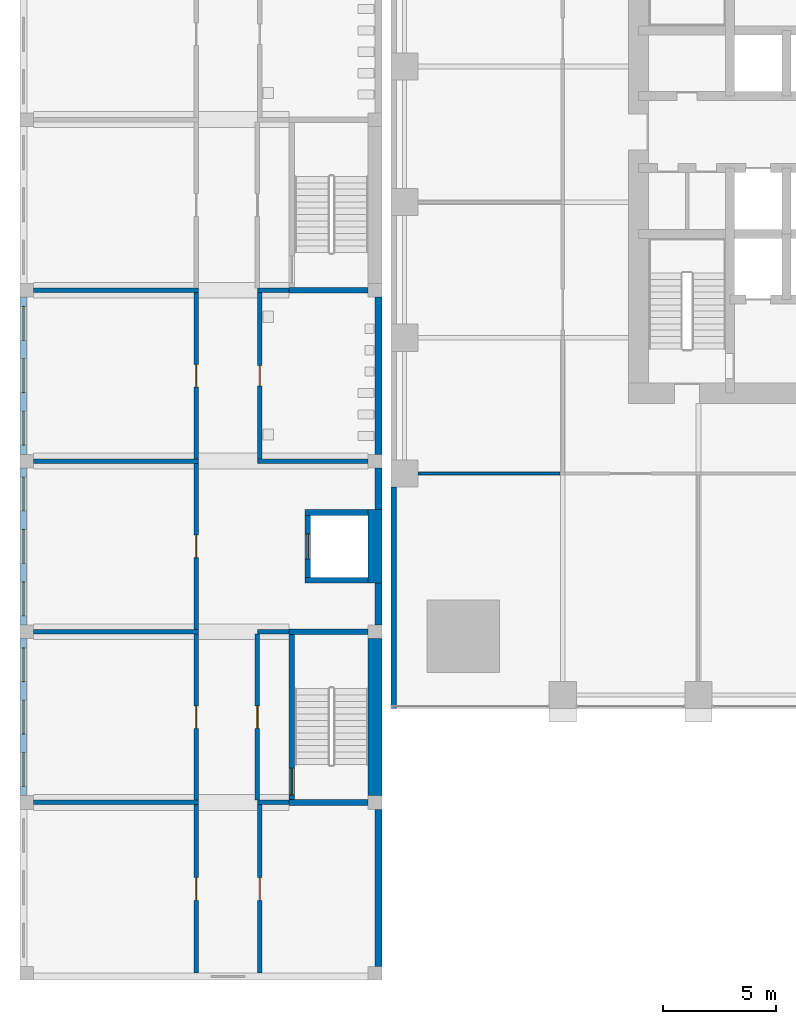
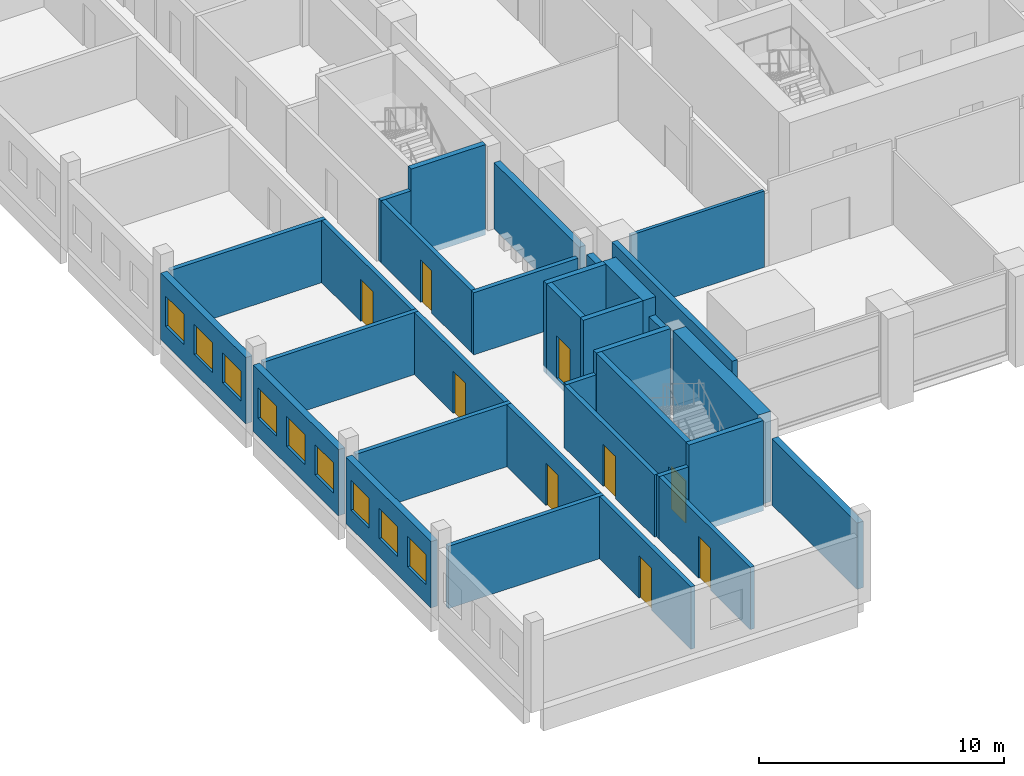
# One storey, part 18 of 34: 33 walls, 9 doors, 9 windows, 18 openings.
"""IFC4 building model written with IfcOpenShell, lengths in metres."""

from ifc_helpers import new_model, si_unit, direction, frame, frame_2d, origin, place, context, subcontext, project, spatial, rectangle, extrude, material, layer, layer_set, type_object, element, fill, save


model = new_model("IFC4")

# Units and contexts
model_context = context("Model", 3, precision=1e-05, world=origin(), true_north=direction((0.0, 1.0)))
body_context = subcontext(model_context, "Body", "Model", "MODEL_VIEW")
ifc_project = project(units=[si_unit("LENGTHUNIT", "METRE"), si_unit("AREAUNIT", "SQUARE_METRE"), si_unit("VOLUMEUNIT", "CUBIC_METRE"), si_unit("PLANEANGLEUNIT", "RADIAN"), si_unit("MASSUNIT", "GRAM", prefix="KILO")], contexts=[model_context])

# Site, building, storey
site_placement = place(None, origin())
site = spatial("IfcSite", under=ifc_project, at=site_placement, CompositionType="ELEMENT")
building_placement = place(site_placement, origin())
building = spatial("IfcBuilding", under=site, at=building_placement, Name="Amberfall Residences", CompositionType="ELEMENT")
storey_placement = place(building_placement, frame((0.0, 0.0, 5.5)))
storey = spatial("IfcBuildingStorey", under=building, at=storey_placement, Name="L01", CompositionType="ELEMENT", Elevation=5.5)

# Walls
ifc_material_1 = material(Name="Fire-rated gypsum board on steel studs", Category="steel")
ifc_layer_1 = layer(ifc_material_1, 0.14990234375)
ifc_layer_set_1 = layer_set([ifc_layer_1], Name="Partition 150 fire-rated")
wall_type_1 = type_object("IfcWallType", Name="Partition 150 fire-rated", PredefinedType="PARTITIONING", material=ifc_layer_set_1)
wall_1_placement = place(storey_placement, frame((53.199951171875, 30.39990234375, 0.0), z_axis=(0.0, 0.0, 1.0), x_axis=(1.0, 0.0, 0.0)))
element("IfcWall", 1, at=wall_1_placement, inside=storey, type_object=wall_type_1, Name="Partition 150 fire-rated L01 001", PredefinedType="PARTITIONING", context=body_context, shape_type="SweptSolid", body=[
    extrude(rectangle(XDim=6.280029296875, YDim=0.14990234375, at=frame_2d((3.14013671875, 0.0))), origin(), (0.0, 0.0, 1.0), 3.797119140625),
])
ifc_material_2 = material(Name="Precast concrete C40", Category="concrete")
ifc_layer_2 = layer(ifc_material_2, 0.25)
ifc_layer_set_2 = layer_set([ifc_layer_2], Name="Podium external wall 250")
wall_type_2 = type_object("IfcWallType", Name="Podium external wall 250", PredefinedType="SOLIDWALL", material=ifc_layer_set_2)
wall_2_placement = place(storey_placement, frame((52.125, 20.0, 0.0), z_axis=(0.0, 0.0, 1.0), x_axis=(0.0, 1.0, 0.0)))
element("IfcWall", 2, at=wall_2_placement, inside=storey, type_object=wall_type_2, Name="Podium external wall W1", PredefinedType="SOLIDWALL", context=body_context, shape_type="SweptSolid", body=[
    extrude(rectangle(XDim=9.800048828125, YDim=0.25, at=frame_2d((4.89990234375, 0.0))), origin(), (0.0, 0.0, 1.0), 4.199951171875),
])

# Wall, openings, windows
ifc_material_3 = material(Name="Aerated block wall")
ifc_layer_3 = layer(ifc_material_3, 0.300048828125)
ifc_layer_set_3 = layer_set([ifc_layer_3], Name="School external wall 300")
wall_type_3 = type_object("IfcWallType", Name="School external wall 300", PredefinedType="SOLIDWALL", material=ifc_layer_set_3)
wall_3_placement = place(storey_placement, frame((35.75, 16.14990234375, 0.0), z_axis=(0.0, 0.0, 1.0), x_axis=(0.0, 1.0, 0.0)))
wall_3 = element("IfcWall", 3, at=wall_3_placement, inside=storey, type_object=wall_type_3, Name="School external wall L01 EW1", PredefinedType="SOLIDWALL", context=body_context, shape_type="SweptSolid", body=[
    extrude(rectangle(XDim=6.9501953125, YDim=0.300048828125, at=frame_2d((3.47509765625, 0.0))), origin(), (0.0, 0.0, 1.0), 3.300048828125),
])
opening_1_placement = place(wall_3_placement, frame((0.408203125, 0.0, 0.89990234375)))
opening_1 = element("IfcOpeningElement", 4, at=opening_1_placement, cuts=wall_3, Name="Opening SWN1", PredefinedType="OPENING", context=body_context, shape_type="SweptSolid", body=[
    extrude(rectangle(XDim=1.5, YDim=1.5, at=frame_2d((0.75, 0.75))), frame((0.0, 0.159912109375, 0.0), z_axis=(0.0, -1.0, 0.0), x_axis=(1.0, 0.0, 0.0)), (0.0, 0.0, 1.0), 0.320068359375),
])
opening_2_placement = place(wall_3_placement, frame((2.72509765625, 0.0, 0.89990234375)))
opening_2 = element("IfcOpeningElement", 5, at=opening_2_placement, cuts=wall_3, Name="Opening SWN1", PredefinedType="OPENING", context=body_context, shape_type="SweptSolid", body=[
    extrude(rectangle(XDim=1.5, YDim=1.5, at=frame_2d((0.75, 0.75))), frame((0.0, 0.159912109375, 0.0), z_axis=(0.0, -1.0, 0.0), x_axis=(1.0, 0.0, 0.0)), (0.0, 0.0, 1.0), 0.320068359375),
])
opening_3_placement = place(wall_3_placement, frame((5.041748046875, 0.0, 0.89990234375)))
opening_3 = element("IfcOpeningElement", 6, at=opening_3_placement, cuts=wall_3, Name="Opening SWN1", PredefinedType="OPENING", context=body_context, shape_type="SweptSolid", body=[
    extrude(rectangle(XDim=1.5, YDim=1.5, at=frame_2d((0.75, 0.75))), frame((0.0, 0.159912109375, 0.0), z_axis=(0.0, -1.0, 0.0), x_axis=(1.0, 0.0, 0.0)), (0.0, 0.0, 1.0), 0.320068359375),
])
ifc_material_4 = material(Name="Aluminium window", Category="aluminium")
window_type = type_object("IfcWindowType", Name="School window 1500 x 1500", PartitioningType="DOUBLE_PANEL_HORIZONTAL", PredefinedType="WINDOW", material=ifc_material_4)
window_1_placement = place(opening_1_placement, origin())
window_1 = element("IfcWindow", 7, at=window_1_placement, inside=storey, type_object=window_type, Name="School window L01 EW1-1", OverallHeight=1.5, OverallWidth=1.5, PartitioningType="DOUBLE_PANEL_HORIZONTAL", PredefinedType="WINDOW", context=body_context, shape_type="SweptSolid", body=[
    extrude(rectangle(XDim=1.5, YDim=1.5, at=frame_2d((0.75, 0.75))), frame((0.0, 0.030029296875, 0.0), z_axis=(0.0, -1.0, 0.0), x_axis=(1.0, 0.0, 0.0)), (0.0, 0.0, 1.0), 0.06005859375),
])
fill(opening_1, window_1)
window_2_placement = place(opening_2_placement, origin())
window_2 = element("IfcWindow", 8, at=window_2_placement, inside=storey, type_object=window_type, Name="School window L01 EW1-2", OverallHeight=1.5, OverallWidth=1.5, PartitioningType="DOUBLE_PANEL_HORIZONTAL", PredefinedType="WINDOW", context=body_context, shape_type="SweptSolid", body=[
    extrude(rectangle(XDim=1.5, YDim=1.5, at=frame_2d((0.75, 0.75))), frame((0.0, 0.030029296875, 0.0), z_axis=(0.0, -1.0, 0.0), x_axis=(1.0, 0.0, 0.0)), (0.0, 0.0, 1.0), 0.06005859375),
])
fill(opening_2, window_2)
window_3_placement = place(opening_3_placement, origin())
window_3 = element("IfcWindow", 9, at=window_3_placement, inside=storey, type_object=window_type, Name="School window L01 EW1-3", OverallHeight=1.5, OverallWidth=1.5, PartitioningType="DOUBLE_PANEL_HORIZONTAL", PredefinedType="WINDOW", context=body_context, shape_type="SweptSolid", body=[
    extrude(rectangle(XDim=1.5, YDim=1.5, at=frame_2d((0.75, 0.75))), frame((0.0, 0.030029296875, 0.0), z_axis=(0.0, -1.0, 0.0), x_axis=(1.0, 0.0, 0.0)), (0.0, 0.0, 1.0), 0.06005859375),
])
fill(opening_3, window_3)

wall_4_placement = place(storey_placement, frame((35.75, 23.699951171875, 0.0), z_axis=(0.0, 0.0, 1.0), x_axis=(0.0, 1.0, 0.0)))
wall_4 = element("IfcWall", 10, at=wall_4_placement, inside=storey, type_object=wall_type_3, Name="School external wall L01 EW2", PredefinedType="SOLIDWALL", context=body_context, shape_type="SweptSolid", body=[
    extrude(rectangle(XDim=6.949951171875, YDim=0.300048828125, at=frame_2d((3.47509765625, 0.0))), origin(), (0.0, 0.0, 1.0), 3.300048828125),
])
opening_4_placement = place(wall_4_placement, frame((0.408203125, 0.0, 0.89990234375)))
opening_4 = element("IfcOpeningElement", 11, at=opening_4_placement, cuts=wall_4, Name="Opening SWN1", PredefinedType="OPENING", context=body_context, shape_type="SweptSolid", body=[
    extrude(rectangle(XDim=1.5, YDim=1.5, at=frame_2d((0.75, 0.75))), frame((0.0, 0.159912109375, 0.0), z_axis=(0.0, -1.0, 0.0), x_axis=(1.0, 0.0, 0.0)), (0.0, 0.0, 1.0), 0.320068359375),
])
opening_5_placement = place(wall_4_placement, frame((2.72509765625, 0.0, 0.89990234375)))
opening_5 = element("IfcOpeningElement", 12, at=opening_5_placement, cuts=wall_4, Name="Opening SWN1", PredefinedType="OPENING", context=body_context, shape_type="SweptSolid", body=[
    extrude(rectangle(XDim=1.5, YDim=1.5, at=frame_2d((0.75, 0.75))), frame((0.0, 0.159912109375, 0.0), z_axis=(0.0, -1.0, 0.0), x_axis=(1.0, 0.0, 0.0)), (0.0, 0.0, 1.0), 0.320068359375),
])
opening_6_placement = place(wall_4_placement, frame((5.041748046875, 0.0, 0.89990234375)))
opening_6 = element("IfcOpeningElement", 13, at=opening_6_placement, cuts=wall_4, Name="Opening SWN1", PredefinedType="OPENING", context=body_context, shape_type="SweptSolid", body=[
    extrude(rectangle(XDim=1.5, YDim=1.5, at=frame_2d((0.75, 0.75))), frame((0.0, 0.159912109375, 0.0), z_axis=(0.0, -1.0, 0.0), x_axis=(1.0, 0.0, 0.0)), (0.0, 0.0, 1.0), 0.320068359375),
])
window_4_placement = place(opening_4_placement, origin())
window_4 = element("IfcWindow", 14, at=window_4_placement, inside=storey, type_object=window_type, Name="School window L01 EW2-1", OverallHeight=1.5, OverallWidth=1.5, PartitioningType="DOUBLE_PANEL_HORIZONTAL", PredefinedType="WINDOW", context=body_context, shape_type="SweptSolid", body=[
    extrude(rectangle(XDim=1.5, YDim=1.5, at=frame_2d((0.75, 0.75))), frame((0.0, 0.030029296875, 0.0), z_axis=(0.0, -1.0, 0.0), x_axis=(1.0, 0.0, 0.0)), (0.0, 0.0, 1.0), 0.06005859375),
])
fill(opening_4, window_4)
window_5_placement = place(opening_5_placement, origin())
window_5 = element("IfcWindow", 15, at=window_5_placement, inside=storey, type_object=window_type, Name="School window L01 EW2-2", OverallHeight=1.5, OverallWidth=1.5, PartitioningType="DOUBLE_PANEL_HORIZONTAL", PredefinedType="WINDOW", context=body_context, shape_type="SweptSolid", body=[
    extrude(rectangle(XDim=1.5, YDim=1.5, at=frame_2d((0.75, 0.75))), frame((0.0, 0.030029296875, 0.0), z_axis=(0.0, -1.0, 0.0), x_axis=(1.0, 0.0, 0.0)), (0.0, 0.0, 1.0), 0.06005859375),
])
fill(opening_5, window_5)
window_6_placement = place(opening_6_placement, origin())
window_6 = element("IfcWindow", 16, at=window_6_placement, inside=storey, type_object=window_type, Name="School window L01 EW2-3", OverallHeight=1.5, OverallWidth=1.5, PartitioningType="DOUBLE_PANEL_HORIZONTAL", PredefinedType="WINDOW", context=body_context, shape_type="SweptSolid", body=[
    extrude(rectangle(XDim=1.5, YDim=1.5, at=frame_2d((0.75, 0.75))), frame((0.0, 0.030029296875, 0.0), z_axis=(0.0, -1.0, 0.0), x_axis=(1.0, 0.0, 0.0)), (0.0, 0.0, 1.0), 0.06005859375),
])
fill(opening_6, window_6)

wall_5_placement = place(storey_placement, frame((35.75, 31.25, 0.0), z_axis=(0.0, 0.0, 1.0), x_axis=(0.0, 1.0, 0.0)))
wall_5 = element("IfcWall", 17, at=wall_5_placement, inside=storey, type_object=wall_type_3, Name="School external wall L01 EW3", PredefinedType="SOLIDWALL", context=body_context, shape_type="SweptSolid", body=[
    extrude(rectangle(XDim=6.949951171875, YDim=0.300048828125, at=frame_2d((3.47509765625, 0.0))), origin(), (0.0, 0.0, 1.0), 3.300048828125),
])
opening_7_placement = place(wall_5_placement, frame((0.408203125, 0.0, 0.89990234375)))
opening_7 = element("IfcOpeningElement", 18, at=opening_7_placement, cuts=wall_5, Name="Opening SWN1", PredefinedType="OPENING", context=body_context, shape_type="SweptSolid", body=[
    extrude(rectangle(XDim=1.5, YDim=1.5, at=frame_2d((0.75, 0.75))), frame((0.0, 0.159912109375, 0.0), z_axis=(0.0, -1.0, 0.0), x_axis=(1.0, 0.0, 0.0)), (0.0, 0.0, 1.0), 0.320068359375),
])
opening_8_placement = place(wall_5_placement, frame((2.72509765625, 0.0, 0.89990234375)))
opening_8 = element("IfcOpeningElement", 19, at=opening_8_placement, cuts=wall_5, Name="Opening SWN1", PredefinedType="OPENING", context=body_context, shape_type="SweptSolid", body=[
    extrude(rectangle(XDim=1.5, YDim=1.5, at=frame_2d((0.75, 0.75))), frame((0.0, 0.159912109375, 0.0), z_axis=(0.0, -1.0, 0.0), x_axis=(1.0, 0.0, 0.0)), (0.0, 0.0, 1.0), 0.320068359375),
])
opening_9_placement = place(wall_5_placement, frame((5.041748046875, 0.0, 0.89990234375)))
opening_9 = element("IfcOpeningElement", 20, at=opening_9_placement, cuts=wall_5, Name="Opening SWN1", PredefinedType="OPENING", context=body_context, shape_type="SweptSolid", body=[
    extrude(rectangle(XDim=1.5, YDim=1.5, at=frame_2d((0.75, 0.75))), frame((0.0, 0.159912109375, 0.0), z_axis=(0.0, -1.0, 0.0), x_axis=(1.0, 0.0, 0.0)), (0.0, 0.0, 1.0), 0.320068359375),
])
window_7_placement = place(opening_7_placement, origin())
window_7 = element("IfcWindow", 21, at=window_7_placement, inside=storey, type_object=window_type, Name="School window L01 EW3-1", OverallHeight=1.5, OverallWidth=1.5, PartitioningType="DOUBLE_PANEL_HORIZONTAL", PredefinedType="WINDOW", context=body_context, shape_type="SweptSolid", body=[
    extrude(rectangle(XDim=1.5, YDim=1.5, at=frame_2d((0.75, 0.75))), frame((0.0, 0.030029296875, 0.0), z_axis=(0.0, -1.0, 0.0), x_axis=(1.0, 0.0, 0.0)), (0.0, 0.0, 1.0), 0.06005859375),
])
fill(opening_7, window_7)
window_8_placement = place(opening_8_placement, origin())
window_8 = element("IfcWindow", 22, at=window_8_placement, inside=storey, type_object=window_type, Name="School window L01 EW3-2", OverallHeight=1.5, OverallWidth=1.5, PartitioningType="DOUBLE_PANEL_HORIZONTAL", PredefinedType="WINDOW", context=body_context, shape_type="SweptSolid", body=[
    extrude(rectangle(XDim=1.5, YDim=1.5, at=frame_2d((0.75, 0.75))), frame((0.0, 0.030029296875, 0.0), z_axis=(0.0, -1.0, 0.0), x_axis=(1.0, 0.0, 0.0)), (0.0, 0.0, 1.0), 0.06005859375),
])
fill(opening_8, window_8)
window_9_placement = place(opening_9_placement, origin())
window_9 = element("IfcWindow", 23, at=window_9_placement, inside=storey, type_object=window_type, Name="School window L01 EW3-3", OverallHeight=1.5, OverallWidth=1.5, PartitioningType="DOUBLE_PANEL_HORIZONTAL", PredefinedType="WINDOW", context=body_context, shape_type="SweptSolid", body=[
    extrude(rectangle(XDim=1.5, YDim=1.5, at=frame_2d((0.75, 0.75))), frame((0.0, 0.030029296875, 0.0), z_axis=(0.0, -1.0, 0.0), x_axis=(1.0, 0.0, 0.0)), (0.0, 0.0, 1.0), 0.06005859375),
])
fill(opening_9, window_9)

# Walls
for number, where, z_axis, x_axis, name in (
    (24, (51.449951171875, 8.60009765625, 0.0), (0.0, 0.0, 1.0), (0.0, 1.0, 0.0), "School external wall L01 ET0"),
    (25, (51.449951171875, 31.25, 0.0), (0.0, 0.0, 1.0), (0.0, 1.0, 0.0), "School external wall L01 ET3"),
):
    element("IfcWall", number, at=place(storey_placement, frame(where, z_axis=z_axis, x_axis=x_axis)), inside=storey, type_object=wall_type_3, Name=name, PredefinedType="SOLIDWALL", context=body_context, shape_type="SweptSolid", body=[
        extrude(rectangle(XDim=6.949951171875, YDim=0.300048828125, at=frame_2d((3.47509765625, 0.0))), origin(), (0.0, 0.0, 1.0), 3.300048828125),
    ])
wall_6_placement = place(storey_placement, frame((51.449951171875, 23.699951171875, 0.0), z_axis=(0.0, 0.0, 1.0), x_axis=(0.0, 1.0, 0.0)))
element("IfcWall", 26, at=wall_6_placement, inside=storey, type_object=wall_type_3, Name="School external wall L01 ET2a", PredefinedType="SOLIDWALL", context=body_context, shape_type="SweptSolid", body=[
    extrude(rectangle(XDim=1.85009765625, YDim=0.300048828125, at=frame_2d((0.925048828125, 0.0))), origin(), (0.0, 0.0, 1.0), 3.300048828125),
])
wall_7_placement = place(storey_placement, frame((51.449951171875, 28.800048828125, 0.0), z_axis=(0.0, 0.0, 1.0), x_axis=(0.0, 1.0, 0.0)))
element("IfcWall", 27, at=wall_7_placement, inside=storey, type_object=wall_type_3, Name="School external wall L01 ET2b", PredefinedType="SOLIDWALL", context=body_context, shape_type="SweptSolid", body=[
    extrude(rectangle(XDim=1.849853515625, YDim=0.300048828125, at=frame_2d((0.9248046875, 0.0))), origin(), (0.0, 0.0, 1.0), 3.300048828125),
])

# Wall, opening, door
ifc_layer_4 = layer(ifc_material_3, 0.199951171875)
ifc_layer_set_4 = layer_set([ifc_layer_4], Name="School partition 200")
wall_type_4 = type_object("IfcWallType", Name="School partition 200", PredefinedType="PARTITIONING", material=ifc_layer_set_4)
wall_8_placement = place(storey_placement, frame((43.39990234375, 8.300048828125, 0.0), z_axis=(0.0, 0.0, 1.0), x_axis=(0.0, 1.0, 0.0)))
wall_8 = element("IfcWall", 28, at=wall_8_placement, inside=storey, type_object=wall_type_4, Name="School partition L01 CWW0", PredefinedType="PARTITIONING", context=body_context, shape_type="SweptSolid", body=[
    extrude(rectangle(XDim=7.449951171875, YDim=0.199951171875, at=frame_2d((3.72509765625, 0.0))), origin(), (0.0, 0.0, 1.0), 3.10009765625),
])
opening_10_placement = place(wall_8_placement, frame((3.22509765625, 0.0, 0.0)))
opening_10 = element("IfcOpeningElement", 29, at=opening_10_placement, cuts=wall_8, Name="Opening SD5", PredefinedType="OPENING", context=body_context, shape_type="SweptSolid", body=[
    extrude(rectangle(XDim=1.0, YDim=2.10009765625, at=frame_2d((0.5, 1.050048828125))), frame((0.0, 0.10986328125, 0.0), z_axis=(0.0, -1.0, 0.0), x_axis=(1.0, 0.0, 0.0)), (0.0, 0.0, 1.0), 0.219970703125),
])
ifc_material_5 = material(Name="Timber door", Category="wood")
door_type_1 = type_object("IfcDoorType", Name="School classroom door 1000 x 2100", OperationType="SINGLE_SWING_LEFT", PredefinedType="DOOR", material=ifc_material_5)
door_1_placement = place(opening_10_placement, origin())
door_1 = element("IfcDoor", 30, at=door_1_placement, inside=storey, type_object=door_type_1, Name="School door L01 CWW0-1", OperationType="SINGLE_SWING_LEFT", OverallHeight=2.10009765625, OverallWidth=1.0, PredefinedType="DOOR", context=body_context, shape_type="SweptSolid", body=[
    extrude(rectangle(XDim=1.0, YDim=2.10009765625, at=frame_2d((0.5, 1.050048828125))), frame((0.0, 0.02490234375, 0.0), z_axis=(0.0, -1.0, 0.0), x_axis=(1.0, 0.0, 0.0)), (0.0, 0.0, 1.0), 0.050048828125),
])
fill(opening_10, door_1)

wall_9_placement = place(storey_placement, frame((43.39990234375, 15.949951171875, 0.0), z_axis=(0.0, 0.0, 1.0), x_axis=(0.0, 1.0, 0.0)))
wall_9 = element("IfcWall", 31, at=wall_9_placement, inside=storey, type_object=wall_type_4, Name="School partition L01 CWW1", PredefinedType="PARTITIONING", context=body_context, shape_type="SweptSolid", body=[
    extrude(rectangle(XDim=7.35009765625, YDim=0.199951171875, at=frame_2d((3.675048828125, 0.0))), origin(), (0.0, 0.0, 1.0), 3.10009765625),
])
opening_11_placement = place(wall_9_placement, frame((3.175048828125, 0.0, 0.0)))
opening_11 = element("IfcOpeningElement", 32, at=opening_11_placement, cuts=wall_9, Name="Opening SD5", PredefinedType="OPENING", context=body_context, shape_type="SweptSolid", body=[
    extrude(rectangle(XDim=1.0, YDim=2.10009765625, at=frame_2d((0.5, 1.050048828125))), frame((0.0, 0.10986328125, 0.0), z_axis=(0.0, -1.0, 0.0), x_axis=(1.0, 0.0, 0.0)), (0.0, 0.0, 1.0), 0.219970703125),
])
door_2_placement = place(opening_11_placement, origin())
door_2 = element("IfcDoor", 33, at=door_2_placement, inside=storey, type_object=door_type_1, Name="School door L01 CWW1-1", OperationType="SINGLE_SWING_LEFT", OverallHeight=2.10009765625, OverallWidth=1.0, PredefinedType="DOOR", context=body_context, shape_type="SweptSolid", body=[
    extrude(rectangle(XDim=1.0, YDim=2.10009765625, at=frame_2d((0.5, 1.050048828125))), frame((0.0, 0.02490234375, 0.0), z_axis=(0.0, -1.0, 0.0), x_axis=(1.0, 0.0, 0.0)), (0.0, 0.0, 1.0), 0.050048828125),
])
fill(opening_11, door_2)

wall_10_placement = place(storey_placement, frame((43.39990234375, 23.5, 0.0), z_axis=(0.0, 0.0, 1.0), x_axis=(0.0, 1.0, 0.0)))
wall_10 = element("IfcWall", 34, at=wall_10_placement, inside=storey, type_object=wall_type_4, Name="School partition L01 CWW2", PredefinedType="PARTITIONING", context=body_context, shape_type="SweptSolid", body=[
    extrude(rectangle(XDim=7.35009765625, YDim=0.199951171875, at=frame_2d((3.675048828125, 0.0))), origin(), (0.0, 0.0, 1.0), 3.10009765625),
])
opening_12_placement = place(wall_10_placement, frame((3.175048828125, 0.0, 0.0)))
opening_12 = element("IfcOpeningElement", 35, at=opening_12_placement, cuts=wall_10, Name="Opening SD5", PredefinedType="OPENING", context=body_context, shape_type="SweptSolid", body=[
    extrude(rectangle(XDim=1.0, YDim=2.10009765625, at=frame_2d((0.5, 1.050048828125))), frame((0.0, 0.10986328125, 0.0), z_axis=(0.0, -1.0, 0.0), x_axis=(1.0, 0.0, 0.0)), (0.0, 0.0, 1.0), 0.219970703125),
])
door_3_placement = place(opening_12_placement, origin())
door_3 = element("IfcDoor", 36, at=door_3_placement, inside=storey, type_object=door_type_1, Name="School door L01 CWW2-1", OperationType="SINGLE_SWING_LEFT", OverallHeight=2.10009765625, OverallWidth=1.0, PredefinedType="DOOR", context=body_context, shape_type="SweptSolid", body=[
    extrude(rectangle(XDim=1.0, YDim=2.10009765625, at=frame_2d((0.5, 1.050048828125))), frame((0.0, 0.02490234375, 0.0), z_axis=(0.0, -1.0, 0.0), x_axis=(1.0, 0.0, 0.0)), (0.0, 0.0, 1.0), 0.050048828125),
])
fill(opening_12, door_3)

wall_11_placement = place(storey_placement, frame((43.39990234375, 31.050048828125, 0.0), z_axis=(0.0, 0.0, 1.0), x_axis=(0.0, 1.0, 0.0)))
wall_11 = element("IfcWall", 37, at=wall_11_placement, inside=storey, type_object=wall_type_4, Name="School partition L01 CWW3", PredefinedType="PARTITIONING", context=body_context, shape_type="SweptSolid", body=[
    extrude(rectangle(XDim=7.349853515625, YDim=0.199951171875, at=frame_2d((3.6748046875, 0.0))), origin(), (0.0, 0.0, 1.0), 3.10009765625),
])
opening_13_placement = place(wall_11_placement, frame((3.175048828125, 0.0, 0.0)))
opening_13 = element("IfcOpeningElement", 38, at=opening_13_placement, cuts=wall_11, Name="Opening SD5", PredefinedType="OPENING", context=body_context, shape_type="SweptSolid", body=[
    extrude(rectangle(XDim=1.0, YDim=2.10009765625, at=frame_2d((0.5, 1.050048828125))), frame((0.0, 0.10986328125, 0.0), z_axis=(0.0, -1.0, 0.0), x_axis=(1.0, 0.0, 0.0)), (0.0, 0.0, 1.0), 0.219970703125),
])
door_4_placement = place(opening_13_placement, origin())
door_4 = element("IfcDoor", 39, at=door_4_placement, inside=storey, type_object=door_type_1, Name="School door L01 CWW3-1", OperationType="SINGLE_SWING_LEFT", OverallHeight=2.10009765625, OverallWidth=1.0, PredefinedType="DOOR", context=body_context, shape_type="SweptSolid", body=[
    extrude(rectangle(XDim=1.0, YDim=2.10009765625, at=frame_2d((0.5, 1.050048828125))), frame((0.0, 0.02490234375, 0.0), z_axis=(0.0, -1.0, 0.0), x_axis=(1.0, 0.0, 0.0)), (0.0, 0.0, 1.0), 0.050048828125),
])
fill(opening_13, door_4)

# Walls
for number, where, z_axis, x_axis, name in (
    (40, (36.199951171875, 15.85009765625, 0.0), (0.0, 0.0, 1.0), (1.0, 0.0, 0.0), "School partition L01 PW1585"),
    (41, (36.199951171875, 23.39990234375, 0.0), (0.0, 0.0, 1.0), (1.0, 0.0, 0.0), "School partition L01 PW2340"),
    (42, (36.199951171875, 30.949951171875, 0.0), (0.0, 0.0, 1.0), (1.0, 0.0, 0.0), "School partition L01 PW3095"),
    (43, (36.199951171875, 38.5, 0.0), (0.0, 0.0, 1.0), (1.0, 0.0, 0.0), "School partition L01 PW3850"),
):
    element("IfcWall", number, at=place(storey_placement, frame(where, z_axis=z_axis, x_axis=x_axis)), inside=storey, type_object=wall_type_4, Name=name, PredefinedType="PARTITIONING", context=body_context, shape_type="SweptSolid", body=[
        extrude(rectangle(XDim=7.300048828125, YDim=0.199951171875, at=frame_2d((3.64990234375, 0.0))), origin(), (0.0, 0.0, 1.0), 3.10009765625),
    ])

# Wall, opening, door
wall_12_placement = place(storey_placement, frame((46.199951171875, 8.300048828125, 0.0), z_axis=(0.0, 0.0, 1.0), x_axis=(0.0, 1.0, 0.0)))
wall_12 = element("IfcWall", 44, at=wall_12_placement, inside=storey, type_object=wall_type_4, Name="School partition L01 CWE08", PredefinedType="PARTITIONING", context=body_context, shape_type="SweptSolid", body=[
    extrude(rectangle(XDim=7.449951171875, YDim=0.199951171875, at=frame_2d((3.72509765625, 0.0))), origin(), (0.0, 0.0, 1.0), 3.10009765625),
])
opening_14_placement = place(wall_12_placement, frame((3.22509765625, 0.0, 0.0)))
opening_14 = element("IfcOpeningElement", 45, at=opening_14_placement, cuts=wall_12, Name="Opening SD5", PredefinedType="OPENING", context=body_context, shape_type="SweptSolid", body=[
    extrude(rectangle(XDim=1.0, YDim=2.10009765625, at=frame_2d((0.5, 1.050048828125))), frame((0.0, 0.10986328125, 0.0), z_axis=(0.0, -1.0, 0.0), x_axis=(1.0, 0.0, 0.0)), (0.0, 0.0, 1.0), 0.219970703125),
])
door_5_placement = place(opening_14_placement, origin())
door_5 = element("IfcDoor", 46, at=door_5_placement, inside=storey, type_object=door_type_1, Name="School door L01 CWE08-1", OperationType="SINGLE_SWING_LEFT", OverallHeight=2.10009765625, OverallWidth=1.0, PredefinedType="DOOR", context=body_context, shape_type="SweptSolid", body=[
    extrude(rectangle(XDim=1.0, YDim=2.10009765625, at=frame_2d((0.5, 1.050048828125))), frame((0.0, 0.02490234375, 0.0), z_axis=(0.0, -1.0, 0.0), x_axis=(1.0, 0.0, 0.0)), (0.0, 0.0, 1.0), 0.050048828125),
])
fill(opening_14, door_5)

wall_13_placement = place(storey_placement, frame((46.199951171875, 31.050048828125, 0.0), z_axis=(0.0, 0.0, 1.0), x_axis=(0.0, 1.0, 0.0)))
wall_13 = element("IfcWall", 47, at=wall_13_placement, inside=storey, type_object=wall_type_4, Name="School partition L01 CWE331", PredefinedType="PARTITIONING", context=body_context, shape_type="SweptSolid", body=[
    extrude(rectangle(XDim=7.349853515625, YDim=0.199951171875, at=frame_2d((3.6748046875, 0.0))), origin(), (0.0, 0.0, 1.0), 3.10009765625),
])
opening_15_placement = place(wall_13_placement, frame((3.22509765625, 0.0, 0.0)))
opening_15 = element("IfcOpeningElement", 48, at=opening_15_placement, cuts=wall_13, Name="Opening SD2", PredefinedType="OPENING", context=body_context, shape_type="SweptSolid", body=[
    extrude(rectangle(XDim=0.89990234375, YDim=2.10009765625, at=frame_2d((0.449951171875, 1.050048828125))), frame((0.0, 0.10986328125, 0.0), z_axis=(0.0, -1.0, 0.0), x_axis=(1.0, 0.0, 0.0)), (0.0, 0.0, 1.0), 0.219970703125),
])
door_type_2 = type_object("IfcDoorType", Name="School WC door 900 x 2100", OperationType="SINGLE_SWING_LEFT", PredefinedType="DOOR", material=ifc_material_5)
door_6_placement = place(opening_15_placement, origin())
door_6 = element("IfcDoor", 49, at=door_6_placement, inside=storey, type_object=door_type_2, Name="School door L01 CWE331-1", OperationType="SINGLE_SWING_LEFT", OverallHeight=2.10009765625, OverallWidth=0.89990234375, PredefinedType="DOOR", context=body_context, shape_type="SweptSolid", body=[
    extrude(rectangle(XDim=0.89990234375, YDim=2.10009765625, at=frame_2d((0.449951171875, 1.050048828125))), frame((0.0, 0.02490234375, 0.0), z_axis=(0.0, -1.0, 0.0), x_axis=(1.0, 0.0, 0.0)), (0.0, 0.0, 1.0), 0.050048828125),
])
fill(opening_15, door_6)

# Walls
for number, where, z_axis, x_axis, name in (
    (50, (46.10009765625, 15.85009765625, 0.0), (0.0, 0.0, 1.0), (1.0, 0.0, 0.0), "School partition L01 PEA1"),
    (51, (46.10009765625, 23.39990234375, 0.0), (0.0, 0.0, 1.0), (1.0, 0.0, 0.0), "School partition L01 PEA2"),
):
    element("IfcWall", number, at=place(storey_placement, frame(where, z_axis=z_axis, x_axis=x_axis)), inside=storey, type_object=wall_type_4, Name=name, PredefinedType="PARTITIONING", context=body_context, shape_type="SweptSolid", body=[
        extrude(rectangle(XDim=1.39990234375, YDim=0.199951171875, at=frame_2d((0.699951171875, 0.0))), origin(), (0.0, 0.0, 1.0), 3.10009765625),
    ])
wall_14_placement = place(storey_placement, frame((46.10009765625, 30.949951171875, 0.0), z_axis=(0.0, 0.0, 1.0), x_axis=(1.0, 0.0, 0.0)))
element("IfcWall", 52, at=wall_14_placement, inside=storey, type_object=wall_type_4, Name="School partition L01 PE3", PredefinedType="PARTITIONING", context=body_context, shape_type="SweptSolid", body=[
    extrude(rectangle(XDim=4.89990234375, YDim=0.199951171875, at=frame_2d((2.449951171875, 0.0))), origin(), (0.0, 0.0, 1.0), 3.10009765625),
])
wall_15_placement = place(storey_placement, frame((46.10009765625, 38.5, 0.0), z_axis=(0.0, 0.0, 1.0), x_axis=(1.0, 0.0, 0.0)))
element("IfcWall", 53, at=wall_15_placement, inside=storey, type_object=wall_type_4, Name="School partition L01 PEA4", PredefinedType="PARTITIONING", context=body_context, shape_type="SweptSolid", body=[
    extrude(rectangle(XDim=1.39990234375, YDim=0.199951171875, at=frame_2d((0.699951171875, 0.0))), origin(), (0.0, 0.0, 1.0), 3.10009765625),
])

# Wall, opening, door
wall_16_placement = place(storey_placement, frame((46.10009765625, 15.949951171875, 0.0), z_axis=(0.0, 0.0, 1.0), x_axis=(0.0, 1.0, 0.0)))
wall_16 = element("IfcWall", 54, at=wall_16_placement, inside=storey, type_object=wall_type_4, Name="School partition L01 CWLSS1", PredefinedType="PARTITIONING", context=body_context, shape_type="SweptSolid", body=[
    extrude(rectangle(XDim=7.35009765625, YDim=0.199951171875, at=frame_2d((3.675048828125, 0.0))), origin(), (0.0, 0.0, 1.0), 3.10009765625),
])
opening_16_placement = place(wall_16_placement, frame((3.175048828125, 0.0, 0.0)))
opening_16 = element("IfcOpeningElement", 55, at=opening_16_placement, cuts=wall_16, Name="Opening SD8", PredefinedType="OPENING", context=body_context, shape_type="SweptSolid", body=[
    extrude(rectangle(XDim=1.0, YDim=2.10009765625, at=frame_2d((0.5, 1.050048828125))), frame((0.0, 0.10986328125, 0.0), z_axis=(0.0, -1.0, 0.0), x_axis=(1.0, 0.0, 0.0)), (0.0, 0.0, 1.0), 0.219970703125),
])
door_type_3 = type_object("IfcDoorType", Name="School lobby door 1000 x 2100", OperationType="SINGLE_SWING_LEFT", PredefinedType="DOOR", material=ifc_material_5)
door_7_placement = place(opening_16_placement, origin())
door_7 = element("IfcDoor", 56, at=door_7_placement, inside=storey, type_object=door_type_3, Name="School door L01 CWLSS1-1", OperationType="SINGLE_SWING_LEFT", OverallHeight=2.10009765625, OverallWidth=1.0, PredefinedType="DOOR", context=body_context, shape_type="SweptSolid", body=[
    extrude(rectangle(XDim=1.0, YDim=2.10009765625, at=frame_2d((0.5, 1.050048828125))), frame((0.0, 0.02490234375, 0.0), z_axis=(0.0, -1.0, 0.0), x_axis=(1.0, 0.0, 0.0)), (0.0, 0.0, 1.0), 0.050048828125),
])
fill(opening_16, door_7)

ifc_material_6 = material(Name="Concrete C50", Category="concrete")
ifc_layer_5 = layer(ifc_material_6, 0.25)
ifc_layer_set_5 = layer_set([ifc_layer_5], Name="School stair core wall 250 C50")
wall_type_5 = type_object("IfcWallType", Name="School stair core wall 250 C50", PredefinedType="SHEAR", material=ifc_layer_set_5)
wall_17_placement = place(storey_placement, frame((47.625, 15.97509765625, -0.300048828125), z_axis=(0.0, 0.0, 1.0), x_axis=(0.0, 1.0, 0.0)))
wall_17 = element("IfcWall", 57, at=wall_17_placement, inside=storey, type_object=wall_type_5, Name="School core wall L01 SS1W", PredefinedType="SHEAR", context=body_context, shape_type="SweptSolid", body=[
    extrude(rectangle(XDim=7.2998046875, YDim=0.25, at=frame_2d((3.64990234375, 0.0))), origin(), (0.0, 0.0, 1.0), 4.5),
])
opening_17_placement = place(wall_17_placement, frame((0.199951171875, 0.0, 0.300048828125)))
opening_17 = element("IfcOpeningElement", 58, at=opening_17_placement, cuts=wall_17, Name="Opening SD4", PredefinedType="OPENING", context=body_context, shape_type="SweptSolid", body=[
    extrude(rectangle(XDim=1.199951171875, YDim=2.10009765625, at=frame_2d((0.60009765625, 1.050048828125))), frame((0.0, 0.135009765625, 0.0), z_axis=(0.0, -1.0, 0.0), x_axis=(1.0, 0.0, 0.0)), (0.0, 0.0, 1.0), 0.27001953125),
])
ifc_material_7 = material(Name="Steel fire door", Category="steel")
door_type_4 = type_object("IfcDoorType", Name="School stair door 1200 x 2100 FD120", OperationType="SINGLE_SWING_LEFT", PredefinedType="DOOR", material=ifc_material_7)
door_8_placement = place(opening_17_placement, origin())
door_8 = element("IfcDoor", 59, at=door_8_placement, inside=storey, type_object=door_type_4, Name="School stair door L01 SS1", OperationType="SINGLE_SWING_LEFT", OverallHeight=2.10009765625, OverallWidth=1.199951171875, PredefinedType="DOOR", context=body_context, shape_type="SweptSolid", body=[
    extrude(rectangle(XDim=1.199951171875, YDim=2.10009765625, at=frame_2d((0.60009765625, 1.050048828125))), frame((0.0, 0.02490234375, 0.0), z_axis=(0.0, -1.0, 0.0), x_axis=(1.0, 0.0, 0.0)), (0.0, 0.0, 1.0), 0.050048828125),
])
fill(opening_17, door_8)

# Walls
for number, where, z_axis, x_axis, name in (
    (60, (47.5, 15.85009765625, -0.300048828125), (0.0, 0.0, 1.0), (1.0, 0.0, 0.0), "School core wall L01 SS1S"),
    (61, (47.5, 23.39990234375, -0.300048828125), (0.0, 0.0, 1.0), (1.0, 0.0, 0.0), "School core wall L01 SS1N"),
    (62, (47.5, 38.5, -0.300048828125), (0.0, 0.0, 1.0), (1.0, 0.0, 0.0), "School core wall L01 SS2S"),
):
    element("IfcWall", number, at=place(storey_placement, frame(where, z_axis=z_axis, x_axis=x_axis)), inside=storey, type_object=wall_type_5, Name=name, PredefinedType="SHEAR", context=body_context, shape_type="SweptSolid", body=[
        extrude(rectangle(XDim=3.5, YDim=0.25, at=frame_2d((1.75, 0.0))), origin(), (0.0, 0.0, 1.0), 4.5),
    ])

# Wall, opening, door
wall_18_placement = place(storey_placement, frame((48.324951171875, 25.675048828125, -0.300048828125), z_axis=(0.0, 0.0, 1.0), x_axis=(0.0, 1.0, 0.0)))
wall_18 = element("IfcWall", 63, at=wall_18_placement, inside=storey, type_object=wall_type_5, Name="School core wall L01 LFW", PredefinedType="SHEAR", context=body_context, shape_type="SweptSolid", body=[
    extrude(rectangle(XDim=3.0, YDim=0.25, at=frame_2d((1.5, 0.0))), origin(), (0.0, 0.0, 1.0), 4.5),
])
opening_18_placement = place(wall_18_placement, frame((0.949951171875, 0.0, 0.300048828125)))
opening_18 = element("IfcOpeningElement", 64, at=opening_18_placement, cuts=wall_18, Name="Opening SLD1", PredefinedType="OPENING", context=body_context, shape_type="SweptSolid", body=[
    extrude(rectangle(XDim=1.10009765625, YDim=2.10009765625, at=frame_2d((0.550048828125, 1.050048828125))), frame((0.0, 0.135009765625, 0.0), z_axis=(0.0, -1.0, 0.0), x_axis=(1.0, 0.0, 0.0)), (0.0, 0.0, 1.0), 0.27001953125),
])
ifc_material_8 = material(Name="Stainless steel door", Category="steel")
door_type_5 = type_object("IfcDoorType", Name="School lift landing door 1100 x 2100", OperationType="SLIDING_TO_LEFT", PredefinedType="DOOR", material=ifc_material_8)
door_9_placement = place(opening_18_placement, origin())
door_9 = element("IfcDoor", 65, at=door_9_placement, inside=storey, type_object=door_type_5, Name="Landing door L01 LS1", OperationType="SLIDING_TO_LEFT", OverallHeight=2.10009765625, OverallWidth=1.10009765625, PredefinedType="DOOR", context=body_context, shape_type="SweptSolid", body=[
    extrude(rectangle(XDim=1.10009765625, YDim=2.10009765625, at=frame_2d((0.550048828125, 1.050048828125))), frame((0.0, 0.02490234375, 0.0), z_axis=(0.0, -1.0, 0.0), x_axis=(1.0, 0.0, 0.0)), (0.0, 0.0, 1.0), 0.050048828125),
])
fill(opening_18, door_9)

# Walls
for number, where, z_axis, x_axis, name in (
    (66, (48.199951171875, 25.675048828125, -0.300048828125), (0.0, 0.0, 1.0), (1.0, 0.0, 0.0), "School core wall L01 LFS"),
    (67, (48.199951171875, 28.675048828125, -0.300048828125), (0.0, 0.0, 1.0), (1.0, 0.0, 0.0), "School core wall L01 LFN"),
):
    element("IfcWall", number, at=place(storey_placement, frame(where, z_axis=z_axis, x_axis=x_axis)), inside=storey, type_object=wall_type_5, Name=name, PredefinedType="SHEAR", context=body_context, shape_type="SweptSolid", body=[
        extrude(rectangle(XDim=2.800048828125, YDim=0.25, at=frame_2d((1.39990234375, 0.0))), origin(), (0.0, 0.0, 1.0), 4.5),
    ])
ifc_layer_6 = layer(ifc_material_6, 0.60009765625)
ifc_layer_set_6 = layer_set([ifc_layer_6], Name="School tower-side core wall 600 C50")
wall_type_6 = type_object("IfcWallType", Name="School tower-side core wall 600 C50", PredefinedType="SHEAR", material=ifc_layer_set_6)
wall_19_placement = place(storey_placement, frame((51.300048828125, 16.14990234375, -0.300048828125), z_axis=(0.0, 0.0, 1.0), x_axis=(0.0, 1.0, 0.0)))
element("IfcWall", 68, at=wall_19_placement, inside=storey, type_object=wall_type_6, Name="School core wall L01 SS1E", PredefinedType="SHEAR", context=body_context, shape_type="SweptSolid", body=[
    extrude(rectangle(XDim=6.9501953125, YDim=0.60009765625, at=frame_2d((3.47509765625, 0.0))), origin(), (0.0, 0.0, 1.0), 4.5),
])
wall_20_placement = place(storey_placement, frame((51.300048828125, 25.550048828125, -0.300048828125), z_axis=(0.0, 0.0, 1.0), x_axis=(0.0, 1.0, 0.0)))
element("IfcWall", 69, at=wall_20_placement, inside=storey, type_object=wall_type_6, Name="School core wall L01 LFE", PredefinedType="SHEAR", context=body_context, shape_type="SweptSolid", body=[
    extrude(rectangle(XDim=3.25, YDim=0.60009765625, at=frame_2d((1.625, 0.0))), origin(), (0.0, 0.0, 1.0), 4.5),
])

save(model, "model.ifc")
